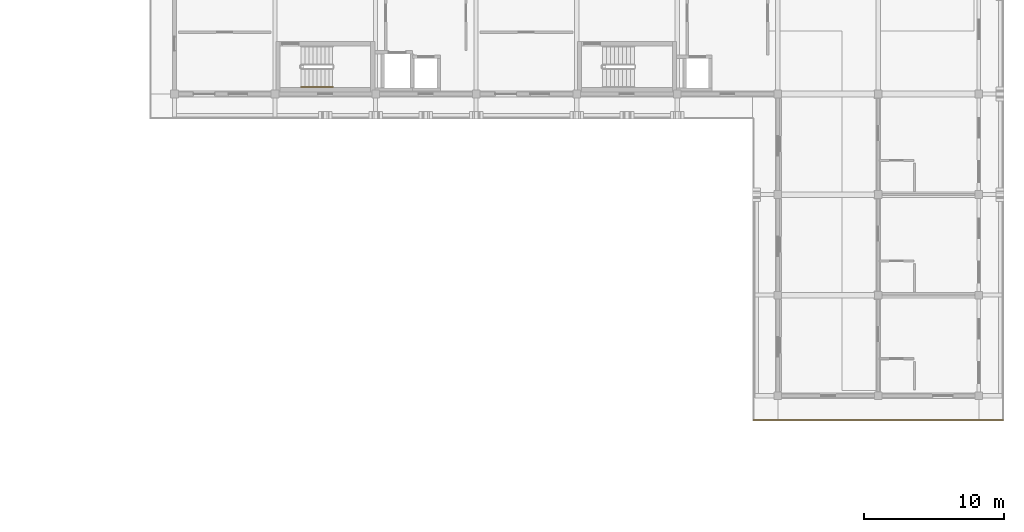
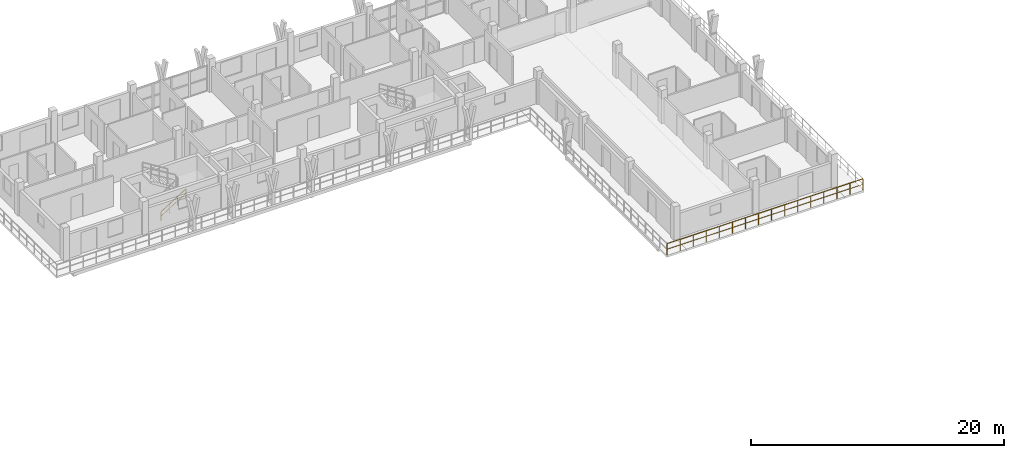
# One storey, part 62 of 65: 2 railings.
"""IFC4 building model written with IfcOpenShell, lengths in metres."""

from ifc_helpers import new_model, si_unit, direction, frame, origin, origin_2d, place, context, subcontext, project, spatial, rectangle, extrude, material, type_object, element, save


model = new_model("IFC4")

# Units and contexts
model_context = context("Model", 3, precision=1e-05, world=origin(), true_north=direction((0.0, 1.0)))
body_context = subcontext(model_context, "Body", "Model", "MODEL_VIEW")
ifc_project = project(units=[si_unit("LENGTHUNIT", "METRE"), si_unit("AREAUNIT", "SQUARE_METRE"), si_unit("VOLUMEUNIT", "CUBIC_METRE"), si_unit("PLANEANGLEUNIT", "RADIAN"), si_unit("MASSUNIT", "GRAM", prefix="KILO")], contexts=[model_context])

# Site, building, storey
site_placement = place(None, origin())
site = spatial("IfcSite", under=ifc_project, at=site_placement, CompositionType="ELEMENT")
building_placement = place(site_placement, origin())
building = spatial("IfcBuilding", under=site, at=building_placement, Name="Suanplinth Sawtooth Commons", CompositionType="ELEMENT")
storey_placement = place(building_placement, frame((0.0, 0.0, 28.300048828125)))
storey = spatial("IfcBuildingStorey", under=building, at=storey_placement, Name="L08", CompositionType="ELEMENT", Elevation=28.300048828125)

# Railings
ifc_material_1 = material(Name="Powder-coated galvanized steel", Category="steel")
railing_type_1 = type_object("IfcRailingType", Name="GR-01", PredefinedType="BALUSTRADE", material=ifc_material_1)
railing_1_placement = place(storey_placement, frame((188.93994140625, 84.659912109375, 0.0)))
element("IfcRailing", 1, at=railing_1_placement, inside=storey, type_object=railing_type_1, Name="L08 Block B Perimeter Balustrade 6", PredefinedType="BALUSTRADE", context=body_context, shape_type="SweptSolid", body=[
    extrude(rectangle(XDim=0.048095703125, YDim=0.048095703125, at=origin_2d()), frame((0.0, 0.0, 1.09619140625), z_axis=(-1.0, 0.0, 0.0), x_axis=(0.0, -1.0, 0.0)), (0.0, 0.0, 1.0), 17.8798828125),
    extrude(rectangle(XDim=0.03369140625, YDim=0.03369140625, at=origin_2d()), frame((0.0, 0.0, 0.56005859375), z_axis=(-1.0, 0.0, 0.0), x_axis=(0.0, -1.0, 0.0)), (0.0, 0.0, 1.0), 17.8798828125),
    extrude(rectangle(XDim=0.0419921875, YDim=0.0419921875, at=origin_2d()), origin(), (0.0, 0.0, 1.0), 1.072021484375),
    extrude(rectangle(XDim=0.0419921875, YDim=0.0419921875, at=origin_2d()), frame((-1.19189453125, 0.0, 0.0)), (0.0, 0.0, 1.0), 1.072021484375),
    extrude(rectangle(XDim=0.0419921875, YDim=0.0419921875, at=origin_2d()), frame((-2.384033203125, 0.0, 0.0)), (0.0, 0.0, 1.0), 1.072021484375),
    extrude(rectangle(XDim=0.0419921875, YDim=0.0419921875, at=origin_2d()), frame((-3.575927734375, 0.0, 0.0)), (0.0, 0.0, 1.0), 1.072021484375),
    extrude(rectangle(XDim=0.0419921875, YDim=0.0419921875, at=origin_2d()), frame((-4.76806640625, 0.0, 0.0)), (0.0, 0.0, 1.0), 1.072021484375),
    extrude(rectangle(XDim=0.0419921875, YDim=0.0419921875, at=origin_2d()), frame((-5.9599609375, 0.0, 0.0)), (0.0, 0.0, 1.0), 1.072021484375),
    extrude(rectangle(XDim=0.0419921875, YDim=0.0419921875, at=origin_2d()), frame((-7.15185546875, 0.0, 0.0)), (0.0, 0.0, 1.0), 1.072021484375),
    extrude(rectangle(XDim=0.0419921875, YDim=0.0419921875, at=origin_2d()), frame((-8.343994140625, 0.0, 0.0)), (0.0, 0.0, 1.0), 1.072021484375),
    extrude(rectangle(XDim=0.0419921875, YDim=0.0419921875, at=origin_2d()), frame((-9.535888671875, 0.0, 0.0)), (0.0, 0.0, 1.0), 1.072021484375),
    extrude(rectangle(XDim=0.0419921875, YDim=0.0419921875, at=origin_2d()), frame((-10.72802734375, 0.0, 0.0)), (0.0, 0.0, 1.0), 1.072021484375),
    extrude(rectangle(XDim=0.0419921875, YDim=0.0419921875, at=origin_2d()), frame((-11.919921875, 0.0, 0.0)), (0.0, 0.0, 1.0), 1.072021484375),
    extrude(rectangle(XDim=0.0419921875, YDim=0.0419921875, at=origin_2d()), frame((-13.11181640625, 0.0, 0.0)), (0.0, 0.0, 1.0), 1.072021484375),
    extrude(rectangle(XDim=0.0419921875, YDim=0.0419921875, at=origin_2d()), frame((-14.303955078125, 0.0, 0.0)), (0.0, 0.0, 1.0), 1.072021484375),
    extrude(rectangle(XDim=0.0419921875, YDim=0.0419921875, at=origin_2d()), frame((-15.495849609375, 0.0, 0.0)), (0.0, 0.0, 1.0), 1.072021484375),
    extrude(rectangle(XDim=0.0419921875, YDim=0.0419921875, at=origin_2d()), frame((-16.68798828125, 0.0, 0.0)), (0.0, 0.0, 1.0), 1.072021484375),
    extrude(rectangle(XDim=0.0419921875, YDim=0.0419921875, at=origin_2d()), frame((-17.8798828125, 0.0, 0.0)), (0.0, 0.0, 1.0), 1.072021484375),
])
ifc_material_2 = material(Name="Stainless steel Grade 304", Category="steel")
railing_type_2 = type_object("IfcRailingType", Name="HR-01", PredefinedType="HANDRAIL", material=ifc_material_2)
railing_2_placement = place(storey_placement, frame((138.64990234375, 108.5, 0.177734375)))
element("IfcRailing", 2, at=railing_2_placement, inside=storey, type_object=railing_type_2, Name="L08 ST-E1 Handrail 1", PredefinedType="HANDRAIL", context=body_context, shape_type="SweptSolid", body=[
    extrude(rectangle(XDim=0.048095703125, YDim=0.048095703125, at=origin_2d()), frame((0.0, 0.0, 0.8759765625), z_axis=(0.848482842525, 0.0, 0.529222888715), x_axis=(0.0, 1.0, 0.0)), (0.0, 0.0, 1.0), 2.687255859375),
    extrude(rectangle(XDim=0.03369140625, YDim=0.03369140625, at=origin_2d()), frame((0.0, 0.0, 0.449951171875), z_axis=(0.848482842525, 0.0, 0.529222888715), x_axis=(0.0, 1.0, 0.0)), (0.0, 0.0, 1.0), 2.687255859375),
    extrude(rectangle(XDim=0.0419921875, YDim=0.0419921875, at=origin_2d()), origin(), (0.0, 0.0, 1.0), 0.851806640625),
    extrude(rectangle(XDim=0.0419921875, YDim=0.0419921875, at=origin_2d()), frame((0.760009765625, 0.0, 0.47412109375)), (0.0, 0.0, 1.0), 0.851806640625),
    extrude(rectangle(XDim=0.0419921875, YDim=0.0419921875, at=origin_2d()), frame((1.52001953125, 0.0, 0.947998046875)), (0.0, 0.0, 1.0), 0.851806640625),
    extrude(rectangle(XDim=0.0419921875, YDim=0.0419921875, at=origin_2d()), frame((2.280029296875, 0.0, 1.422119140625)), (0.0, 0.0, 1.0), 0.851806640625),
])

save(model, "model.ifc")
